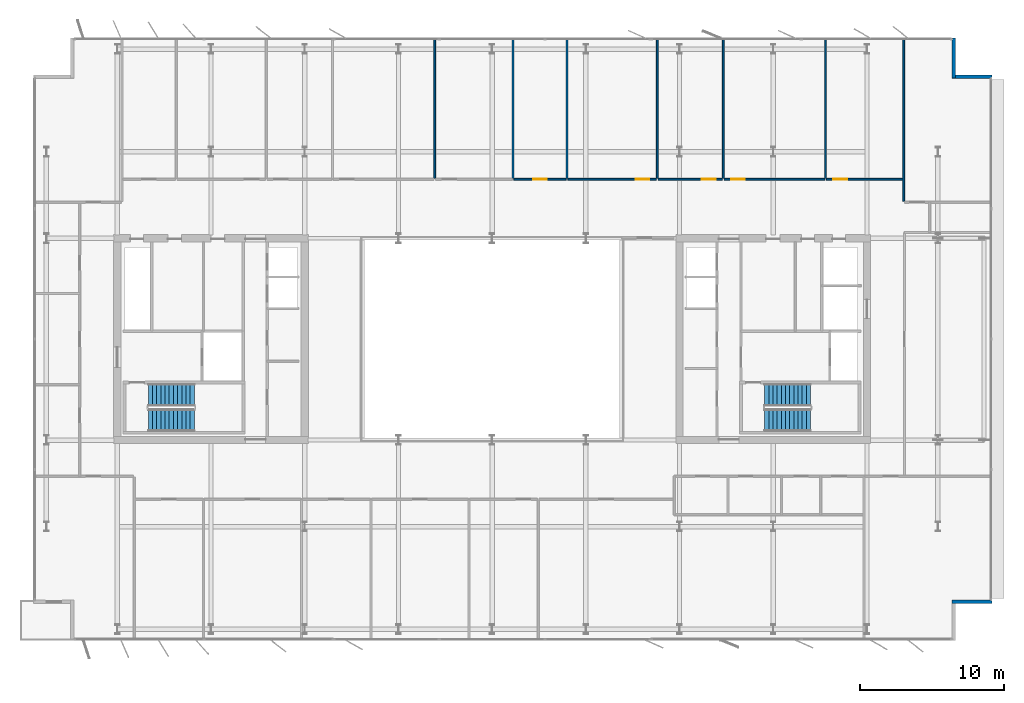
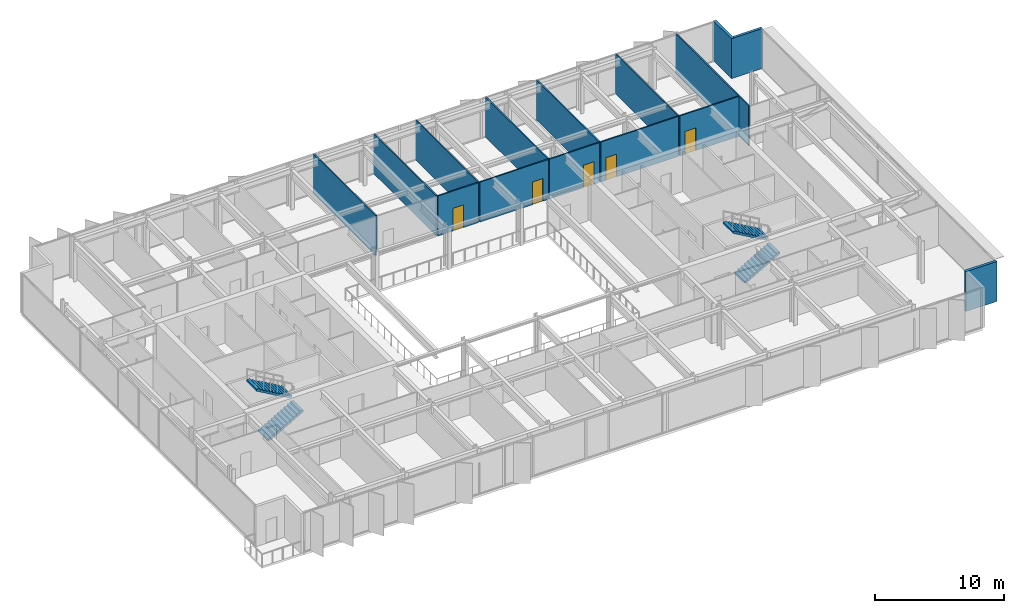
# One storey, part 16 of 20: 15 walls, 5 doors, 4 stair flights, 5 openings, 2 elements without a shape of their own.
"""IFC4 building model written with IfcOpenShell, lengths in metres."""

from ifc_helpers import new_model, si_unit, direction, frame, frame_2d, origin, place, context, subcontext, project, spatial, polyline, rectangle, outline, extrude, material, layer, layer_set, type_object, element, fill, aggregate, save


model = new_model("IFC4")

# Units and contexts
model_context = context("Model", 3, precision=1e-05, world=origin(), true_north=direction((0.0, 1.0)))
body_context = subcontext(model_context, "Body", "Model", "MODEL_VIEW")
ifc_project = project(units=[si_unit("LENGTHUNIT", "METRE"), si_unit("AREAUNIT", "SQUARE_METRE"), si_unit("VOLUMEUNIT", "CUBIC_METRE"), si_unit("PLANEANGLEUNIT", "RADIAN"), si_unit("MASSUNIT", "GRAM", prefix="KILO")], contexts=[model_context])

# Site, building, storey
site_placement = place(None, origin())
site = spatial("IfcSite", under=ifc_project, at=site_placement, CompositionType="ELEMENT")
building_placement = place(site_placement, origin())
building = spatial("IfcBuilding", under=site, at=building_placement, Name="Putna Gate Headquarters", CompositionType="ELEMENT")
storey_placement = place(building_placement, frame((0.0, 0.0, 294.39990234375)))
storey = spatial("IfcBuildingStorey", under=building, at=storey_placement, Name="L74", CompositionType="ELEMENT", Elevation=294.39990234375)

# Walls
ifc_material_1 = material(Name="Precast concrete C40/50", Category="concrete")
ifc_layer_1 = layer(ifc_material_1, 0.239990234375)
ifc_layer_set_1 = layer_set([ifc_layer_1], Name="Precast concrete C40/50")
wall_type_1 = type_object("IfcWallType", Name="WALL-EXT-TERR-240", PredefinedType="STANDARD", material=ifc_layer_set_1)
wall_1_placement = place(storey_placement, frame((71.0048828125, 46.89990234375, 0.0), z_axis=(0.0, 0.0, 1.0), x_axis=(0.0, -1.0, 0.0)))
element("IfcWall", 1, at=wall_1_placement, inside=storey, type_object=wall_type_1, Name="L74 Corner Notch Return Wall NE-V", PredefinedType="STANDARD", context=body_context, shape_type="SweptSolid", body=[
    extrude(rectangle(XDim=2.7998046875, YDim=0.239990234375, at=frame_2d((1.39990234375, 0.0))), origin(), (0.0, 0.0, 1.0), 3.7880859375),
])
for number, where, z_axis, x_axis, name in (
    (2, (70.885009765625, 44.219970703125, 0.0), (0.0, 0.0, 1.0), (1.0, 0.0, 0.0), "L74 Corner Notch Return Wall NE-H"),
    (3, (73.68505859375, 7.780029296875, 0.0), (0.0, 0.0, 1.0), (-1.0, 0.0, 0.0), "L74 Corner Notch Return Wall SE-H"),
):
    element("IfcWall", number, at=place(storey_placement, frame(where, z_axis=z_axis, x_axis=x_axis)), inside=storey, type_object=wall_type_1, Name=name, PredefinedType="STANDARD", context=body_context, shape_type="SweptSolid", body=[
        extrude(rectangle(XDim=2.800048828125, YDim=0.239990234375, at=frame_2d((1.39990234375, 0.0))), origin(), (0.0, 0.0, 1.0), 3.7880859375),
    ])
ifc_material_2 = material(Name="Acoustic gypsum board on metal stud")
ifc_layer_2 = layer(ifc_material_2, 0.1201171875)
ifc_layer_set_2 = layer_set([ifc_layer_2], Name="Acoustic gypsum board on metal stud")
wall_type_2 = type_object("IfcWallType", Name="WALL-PART-120", PredefinedType="PARTITIONING", material=ifc_layer_set_2)
for number, where, z_axis, x_axis, name in (
    (4, (35.020263671875, 37.159912109375, 0.0), (0.0, 0.0, 1.0), (0.0, 1.0, 0.0), "L74 Interior Wall PART-L74-NB-DIV-05"),
    (5, (40.4423828125, 37.159912109375, 0.0), (0.0, 0.0, 1.0), (0.0, 1.0, 0.0), "L74 Interior Wall PART-L74-NB-DIV-06"),
    (6, (44.19189453125, 37.159912109375, 0.0), (0.0, 0.0, 1.0), (0.0, 1.0, 0.0), "L74 Interior Wall PART-L74-NB-DIV-07"),
    (7, (50.447265625, 37.159912109375, 0.0), (0.0, 0.0, 1.0), (0.0, 1.0, 0.0), "L74 Interior Wall PART-L74-NB-DIV-08"),
    (8, (55.036376953125, 37.159912109375, 0.0), (0.0, 0.0, 1.0), (0.0, 1.0, 0.0), "L74 Interior Wall PART-L74-NB-DIV-09"),
    (9, (62.131591796875, 37.159912109375, 0.0), (0.0, 0.0, 1.0), (0.0, 1.0, 0.0), "L74 Interior Wall PART-L74-NB-DIV-10"),
):
    element("IfcWall", number, at=place(storey_placement, frame(where, z_axis=z_axis, x_axis=x_axis)), inside=storey, type_object=wall_type_2, Name=name, PredefinedType="PARTITIONING", context=body_context, shape_type="SweptSolid", body=[
        extrude(rectangle(XDim=9.719970703125, YDim=0.1201171875, at=frame_2d((4.85986328125, 0.0))), origin(), (0.0, 0.0, 1.0), 3.7880859375),
    ])
wall_2_placement = place(storey_placement, frame((67.5537109375, 35.56005859375, 0.0), z_axis=(0.0, 0.0, 1.0), x_axis=(0.0, 1.0, 0.0)))
element("IfcWall", 10, at=wall_2_placement, inside=storey, type_object=wall_type_2, Name="L74 Interior Wall PART-L74-NB-DIV-11", PredefinedType="PARTITIONING", context=body_context, shape_type="SweptSolid", body=[
    extrude(rectangle(XDim=11.31982421875, YDim=0.1201171875, at=frame_2d((5.659912109375, 0.0))), origin(), (0.0, 0.0, 1.0), 3.7880859375),
])

# Wall, opening, door
ifc_material_3 = material(Name="Fire-rated gypsum board on metal stud")
ifc_layer_3 = layer(ifc_material_3, 0.1201171875)
ifc_layer_set_3 = layer_set([ifc_layer_3], Name="Fire-rated gypsum board on metal stud")
wall_type_3 = type_object("IfcWallType", Name="WALL-PART-120-RATED", PredefinedType="PARTITIONING", material=ifc_layer_set_3)
wall_3_placement = place(storey_placement, frame((40.50244140625, 37.10009765625, 0.0), z_axis=(0.0, 0.0, 1.0), x_axis=(1.0, 0.0, 0.0)))
wall_3 = element("IfcWall", 11, at=wall_3_placement, inside=storey, type_object=wall_type_3, Name="L74 Interior Wall PART-L74-NB-CW-07", PredefinedType="PARTITIONING", context=body_context, shape_type="SweptSolid", body=[
    extrude(rectangle(XDim=3.62939453125, YDim=0.1201171875, at=frame_2d((1.814697265625, 0.0))), origin(), (0.0, 0.0, 1.0), 3.7880859375),
])
opening_1_placement = place(wall_3_placement, frame((1.339599609375, 0.0, 0.0)))
opening_1 = element("IfcOpeningElement", 12, at=opening_1_placement, cuts=wall_3, Name="Opening FD-95", PredefinedType="OPENING", context=body_context, shape_type="SweptSolid", body=[
    extrude(rectangle(XDim=0.949951171875, YDim=2.14990234375, at=frame_2d((0.47509765625, 1.074951171875))), frame((0.0, 0.070068359375, 0.0), z_axis=(0.0, -1.0, 0.0), x_axis=(1.0, 0.0, 0.0)), (0.0, 0.0, 1.0), 0.14013671875),
])
ifc_material_4 = material(Name="Acoustic timber fire door", Category="wood")
door_type = type_object("IfcDoorType", Name="DOOR-FIRE-950", OperationType="NOTDEFINED", PredefinedType="DOOR", material=ifc_material_4)
door_1_placement = place(opening_1_placement, origin())
door_1 = element("IfcDoor", 13, at=door_1_placement, inside=storey, type_object=door_type, Name="L74 Cellular Office 3 Door", OperationType="SINGLE_SWING_RIGHT", OverallHeight=2.14990234375, OverallWidth=0.949951171875, PredefinedType="DOOR", context=body_context, shape_type="SweptSolid", body=[
    extrude(rectangle(XDim=0.949951171875, YDim=2.14990234375, at=frame_2d((0.47509765625, 1.074951171875))), frame((0.0, 0.02490234375, 0.0), z_axis=(0.0, -1.0, 0.0), x_axis=(1.0, 0.0, 0.0)), (0.0, 0.0, 1.0), 0.050048828125),
])
fill(opening_1, door_1)

wall_4_placement = place(storey_placement, frame((44.251708984375, 37.10009765625, 0.0), z_axis=(0.0, 0.0, 1.0), x_axis=(1.0, 0.0, 0.0)))
wall_4 = element("IfcWall", 14, at=wall_4_placement, inside=storey, type_object=wall_type_3, Name="L74 Interior Wall PART-L74-NB-CW-08", PredefinedType="PARTITIONING", context=body_context, shape_type="SweptSolid", body=[
    extrude(rectangle(XDim=6.135498046875, YDim=0.1201171875, at=frame_2d((3.06787109375, 0.0))), origin(), (0.0, 0.0, 1.0), 3.7880859375),
])
opening_2_placement = place(wall_4_placement, frame((4.705322265625, 0.0, 0.0)))
opening_2 = element("IfcOpeningElement", 15, at=opening_2_placement, cuts=wall_4, Name="Opening FD-95", PredefinedType="OPENING", context=body_context, shape_type="SweptSolid", body=[
    extrude(rectangle(XDim=0.949951171875, YDim=2.14990234375, at=frame_2d((0.47509765625, 1.074951171875))), frame((0.0, 0.070068359375, 0.0), z_axis=(0.0, -1.0, 0.0), x_axis=(1.0, 0.0, 0.0)), (0.0, 0.0, 1.0), 0.14013671875),
])
door_2_placement = place(opening_2_placement, origin())
door_2 = element("IfcDoor", 16, at=door_2_placement, inside=storey, type_object=door_type, Name="L74 Cellular Office 4 Door", OperationType="SINGLE_SWING_LEFT", OverallHeight=2.14990234375, OverallWidth=0.949951171875, PredefinedType="DOOR", context=body_context, shape_type="SweptSolid", body=[
    extrude(rectangle(XDim=0.949951171875, YDim=2.14990234375, at=frame_2d((0.47509765625, 1.074951171875))), frame((0.0, 0.02490234375, 0.0), z_axis=(0.0, -1.0, 0.0), x_axis=(1.0, 0.0, 0.0)), (0.0, 0.0, 1.0), 0.050048828125),
])
fill(opening_2, door_2)

wall_5_placement = place(storey_placement, frame((50.507080078125, 37.10009765625, 0.0), z_axis=(0.0, 0.0, 1.0), x_axis=(1.0, 0.0, 0.0)))
wall_5 = element("IfcWall", 17, at=wall_5_placement, inside=storey, type_object=wall_type_3, Name="L74 Interior Wall PART-L74-NB-CW-09", PredefinedType="PARTITIONING", context=body_context, shape_type="SweptSolid", body=[
    extrude(rectangle(XDim=4.46923828125, YDim=0.1201171875, at=frame_2d((2.234619140625, 0.0))), origin(), (0.0, 0.0, 1.0), 3.7880859375),
])
opening_3_placement = place(wall_5_placement, frame((3.0390625, 0.0, 0.0)))
opening_3 = element("IfcOpeningElement", 18, at=opening_3_placement, cuts=wall_5, Name="Opening FD-95", PredefinedType="OPENING", context=body_context, shape_type="SweptSolid", body=[
    extrude(rectangle(XDim=0.949951171875, YDim=2.14990234375, at=frame_2d((0.47509765625, 1.074951171875))), frame((0.0, 0.070068359375, 0.0), z_axis=(0.0, -1.0, 0.0), x_axis=(1.0, 0.0, 0.0)), (0.0, 0.0, 1.0), 0.14013671875),
])
door_3_placement = place(opening_3_placement, origin())
door_3 = element("IfcDoor", 19, at=door_3_placement, inside=storey, type_object=door_type, Name="L74 Cellular Office 5 Door", OperationType="SINGLE_SWING_RIGHT", OverallHeight=2.14990234375, OverallWidth=0.949951171875, PredefinedType="DOOR", context=body_context, shape_type="SweptSolid", body=[
    extrude(rectangle(XDim=0.949951171875, YDim=2.14990234375, at=frame_2d((0.47509765625, 1.074951171875))), frame((0.0, 0.02490234375, 0.0), z_axis=(0.0, -1.0, 0.0), x_axis=(1.0, 0.0, 0.0)), (0.0, 0.0, 1.0), 0.050048828125),
])
fill(opening_3, door_3)

wall_6_placement = place(storey_placement, frame((55.09619140625, 37.10009765625, 0.0), z_axis=(0.0, 0.0, 1.0), x_axis=(1.0, 0.0, 0.0)))
wall_6 = element("IfcWall", 20, at=wall_6_placement, inside=storey, type_object=wall_type_3, Name="L74 Interior Wall PART-L74-NB-CW-10", PredefinedType="PARTITIONING", context=body_context, shape_type="SweptSolid", body=[
    extrude(rectangle(XDim=6.975341796875, YDim=0.1201171875, at=frame_2d((3.48779296875, 0.0))), origin(), (0.0, 0.0, 1.0), 3.7880859375),
])
opening_4_placement = place(wall_6_placement, frame((0.47998046875, 0.0, 0.0)))
opening_4 = element("IfcOpeningElement", 21, at=opening_4_placement, cuts=wall_6, Name="Opening FD-95", PredefinedType="OPENING", context=body_context, shape_type="SweptSolid", body=[
    extrude(rectangle(XDim=0.949951171875, YDim=2.14990234375, at=frame_2d((0.47509765625, 1.074951171875))), frame((0.0, 0.070068359375, 0.0), z_axis=(0.0, -1.0, 0.0), x_axis=(1.0, 0.0, 0.0)), (0.0, 0.0, 1.0), 0.14013671875),
])
door_4_placement = place(opening_4_placement, origin())
door_4 = element("IfcDoor", 22, at=door_4_placement, inside=storey, type_object=door_type, Name="L74 Cellular Office 6 Door", OperationType="SINGLE_SWING_LEFT", OverallHeight=2.14990234375, OverallWidth=0.949951171875, PredefinedType="DOOR", context=body_context, shape_type="SweptSolid", body=[
    extrude(rectangle(XDim=0.949951171875, YDim=2.14990234375, at=frame_2d((0.47509765625, 1.074951171875))), frame((0.0, 0.02490234375, 0.0), z_axis=(0.0, -1.0, 0.0), x_axis=(1.0, 0.0, 0.0)), (0.0, 0.0, 1.0), 0.050048828125),
])
fill(opening_4, door_4)

wall_7_placement = place(storey_placement, frame((62.19140625, 37.10009765625, 0.0), z_axis=(0.0, 0.0, 1.0), x_axis=(1.0, 0.0, 0.0)))
wall_7 = element("IfcWall", 23, at=wall_7_placement, inside=storey, type_object=wall_type_3, Name="L74 Interior Wall PART-L74-NB-CW-11", PredefinedType="PARTITIONING", context=body_context, shape_type="SweptSolid", body=[
    extrude(rectangle(XDim=5.302490234375, YDim=0.1201171875, at=frame_2d((2.6513671875, 0.0))), origin(), (0.0, 0.0, 1.0), 3.7880859375),
])
opening_5_placement = place(wall_7_placement, frame((0.47998046875, 0.0, 0.0)))
opening_5 = element("IfcOpeningElement", 24, at=opening_5_placement, cuts=wall_7, Name="Opening FD-95", PredefinedType="OPENING", context=body_context, shape_type="SweptSolid", body=[
    extrude(rectangle(XDim=0.949951171875, YDim=2.14990234375, at=frame_2d((0.47509765625, 1.074951171875))), frame((0.0, 0.070068359375, 0.0), z_axis=(0.0, -1.0, 0.0), x_axis=(1.0, 0.0, 0.0)), (0.0, 0.0, 1.0), 0.14013671875),
])
door_5_placement = place(opening_5_placement, origin())
door_5 = element("IfcDoor", 25, at=door_5_placement, inside=storey, type_object=door_type, Name="L74 Cellular Office 7 Door", OperationType="SINGLE_SWING_RIGHT", OverallHeight=2.14990234375, OverallWidth=0.949951171875, PredefinedType="DOOR", context=body_context, shape_type="SweptSolid", body=[
    extrude(rectangle(XDim=0.949951171875, YDim=2.14990234375, at=frame_2d((0.47509765625, 1.074951171875))), frame((0.0, 0.02490234375, 0.0), z_axis=(0.0, -1.0, 0.0), x_axis=(1.0, 0.0, 0.0)), (0.0, 0.0, 1.0), 0.050048828125),
])
fill(opening_5, door_5)

# Stair, stair flights
ifc_material_5 = material(Name="Concrete C40/50", Category="concrete")
stair_type_1 = type_object("IfcStairType", Name="STAIR-ST1", PredefinedType="HALF_TURN_STAIR", material=ifc_material_5)
stair_1_placement = place(storey_placement, origin())
stair_1 = element("IfcStair", 26, at=stair_1_placement, inside=storey, type_object=stair_type_1, Name="L74 West Core Exit Stair ST1", PredefinedType="HALF_TURN_STAIR")
stair_flight_type_1 = type_object("IfcStairFlightType", Name="FLIGHT-ST1", PredefinedType="STRAIGHT", material=ifc_material_5)
stair_flight_1_placement = place(storey_placement, frame((15.14990234375, 20.375, 0.0), z_axis=(0.0, 0.0, 1.0), x_axis=(1.0, 0.0, 0.0)))
stair_flight_1 = element("IfcStairFlight", 27, at=stair_flight_1_placement, type_object=stair_flight_type_1, Name="ST1 flight 1", NumberOfRisers=12, NumberOfTreads=11, PredefinedType="STRAIGHT", RiserHeight=0.166666667, TreadLength=0.29, context=body_context, shape_type="SweptSolid", body=[
    extrude(outline(polyline([(0.0, 0.0), (0.0, 0.166748046875), (0.2900390625, 0.166748046875), (0.2900390625, 0.333251953125), (0.580078125, 0.333251953125), (0.580078125, 0.5), (0.8701171875, 0.5), (0.8701171875, 0.666748046875), (1.159912109375, 0.666748046875), (1.159912109375, 0.833251953125), (1.449951171875, 0.833251953125), (1.449951171875, 1.0), (1.739990234375, 1.0), (1.739990234375, 1.166748046875), (2.030029296875, 1.166748046875), (2.030029296875, 1.333251953125), (2.320068359375, 1.333251953125), (2.320068359375, 1.5), (2.610107421875, 1.5), (2.610107421875, 1.666748046875), (2.89990234375, 1.666748046875), (2.89990234375, 1.833251953125), (3.18994140625, 1.833251953125), (3.18994140625, 2.0), (3.18994140625, 1.660400390625), (0.30078125, 0.0), (0.0, 0.0)])), frame((0.0, 0.77490234375, 0.0), z_axis=(0.0, -1.0, 0.0), x_axis=(1.0, 0.0, 0.0)), (0.0, 0.0, 1.0), 1.550048828125),
])
stair_flight_2_placement = place(storey_placement, frame((18.340087890625, 22.125, 2.0), z_axis=(0.0, 0.0, 1.0), x_axis=(-1.0, 0.0, 0.0)))
stair_flight_2 = element("IfcStairFlight", 28, at=stair_flight_2_placement, type_object=stair_flight_type_1, Name="ST1 flight 2", NumberOfRisers=12, NumberOfTreads=11, PredefinedType="STRAIGHT", RiserHeight=0.166666667, TreadLength=0.29, context=body_context, shape_type="SweptSolid", body=[
    extrude(outline(polyline([(0.0, 0.0), (0.0, 0.166748046875), (0.2900390625, 0.166748046875), (0.2900390625, 0.333251953125), (0.580078125, 0.333251953125), (0.580078125, 0.5), (0.8701171875, 0.5), (0.8701171875, 0.666748046875), (1.159912109375, 0.666748046875), (1.159912109375, 0.833251953125), (1.449951171875, 0.833251953125), (1.449951171875, 1.0), (1.739990234375, 1.0), (1.739990234375, 1.166748046875), (2.030029296875, 1.166748046875), (2.030029296875, 1.333251953125), (2.320068359375, 1.333251953125), (2.320068359375, 1.5), (2.610107421875, 1.5), (2.610107421875, 1.666748046875), (2.89990234375, 1.666748046875), (2.89990234375, 1.833251953125), (3.18994140625, 1.833251953125), (3.18994140625, 2.0), (3.18994140625, 1.660400390625), (0.30078125, 0.0), (0.0, 0.0)])), frame((0.0, 0.77490234375, 0.0), z_axis=(0.0, -1.0, 0.0), x_axis=(1.0, 0.0, 0.0)), (0.0, 0.0, 1.0), 1.550048828125),
])
aggregate(stair_1, [stair_flight_1, stair_flight_2])

stair_type_2 = type_object("IfcStairType", Name="STAIR-ST2", PredefinedType="HALF_TURN_STAIR", material=ifc_material_5)
stair_2_placement = place(storey_placement, origin())
stair_2 = element("IfcStair", 29, at=stair_2_placement, inside=storey, type_object=stair_type_2, Name="L74 East Core Exit Stair ST2", PredefinedType="HALF_TURN_STAIR")
stair_flight_type_2 = type_object("IfcStairFlightType", Name="FLIGHT-ST2", PredefinedType="STRAIGHT", material=ifc_material_5)
stair_flight_3_placement = place(storey_placement, frame((57.89990234375, 20.375, 0.0), z_axis=(0.0, 0.0, 1.0), x_axis=(1.0, 0.0, 0.0)))
stair_flight_3 = element("IfcStairFlight", 30, at=stair_flight_3_placement, type_object=stair_flight_type_2, Name="ST2 flight 1", NumberOfRisers=12, NumberOfTreads=11, PredefinedType="STRAIGHT", RiserHeight=0.166666667, TreadLength=0.29, context=body_context, shape_type="SweptSolid", body=[
    extrude(outline(polyline([(0.0, 0.0), (0.0, 0.166748046875), (0.2900390625, 0.166748046875), (0.2900390625, 0.333251953125), (0.580078125, 0.333251953125), (0.580078125, 0.5), (0.8701171875, 0.5), (0.8701171875, 0.666748046875), (1.159912109375, 0.666748046875), (1.159912109375, 0.833251953125), (1.449951171875, 0.833251953125), (1.449951171875, 1.0), (1.739990234375, 1.0), (1.739990234375, 1.166748046875), (2.030029296875, 1.166748046875), (2.030029296875, 1.333251953125), (2.320068359375, 1.333251953125), (2.320068359375, 1.5), (2.610107421875, 1.5), (2.610107421875, 1.666748046875), (2.89990234375, 1.666748046875), (2.89990234375, 1.833251953125), (3.18994140625, 1.833251953125), (3.18994140625, 2.0), (3.18994140625, 1.660400390625), (0.30078125, 0.0), (0.0, 0.0)])), frame((0.0, 0.77490234375, 0.0), z_axis=(0.0, -1.0, 0.0), x_axis=(1.0, 0.0, 0.0)), (0.0, 0.0, 1.0), 1.550048828125),
])
stair_flight_4_placement = place(storey_placement, frame((61.090087890625, 22.125, 2.0), z_axis=(0.0, 0.0, 1.0), x_axis=(-1.0, 0.0, 0.0)))
stair_flight_4 = element("IfcStairFlight", 31, at=stair_flight_4_placement, type_object=stair_flight_type_2, Name="ST2 flight 2", NumberOfRisers=12, NumberOfTreads=11, PredefinedType="STRAIGHT", RiserHeight=0.166666667, TreadLength=0.29, context=body_context, shape_type="SweptSolid", body=[
    extrude(outline(polyline([(0.0, 0.0), (0.0, 0.166748046875), (0.2900390625, 0.166748046875), (0.2900390625, 0.333251953125), (0.580078125, 0.333251953125), (0.580078125, 0.5), (0.8701171875, 0.5), (0.8701171875, 0.666748046875), (1.159912109375, 0.666748046875), (1.159912109375, 0.833251953125), (1.449951171875, 0.833251953125), (1.449951171875, 1.0), (1.739990234375, 1.0), (1.739990234375, 1.166748046875), (2.030029296875, 1.166748046875), (2.030029296875, 1.333251953125), (2.320068359375, 1.333251953125), (2.320068359375, 1.5), (2.610107421875, 1.5), (2.610107421875, 1.666748046875), (2.89990234375, 1.666748046875), (2.89990234375, 1.833251953125), (3.18994140625, 1.833251953125), (3.18994140625, 2.0), (3.18994140625, 1.660400390625), (0.30078125, 0.0), (0.0, 0.0)])), frame((0.0, 0.77490234375, 0.0), z_axis=(0.0, -1.0, 0.0), x_axis=(1.0, 0.0, 0.0)), (0.0, 0.0, 1.0), 1.550048828125),
])
aggregate(stair_2, [stair_flight_3, stair_flight_4])

save(model, "model.ifc")
